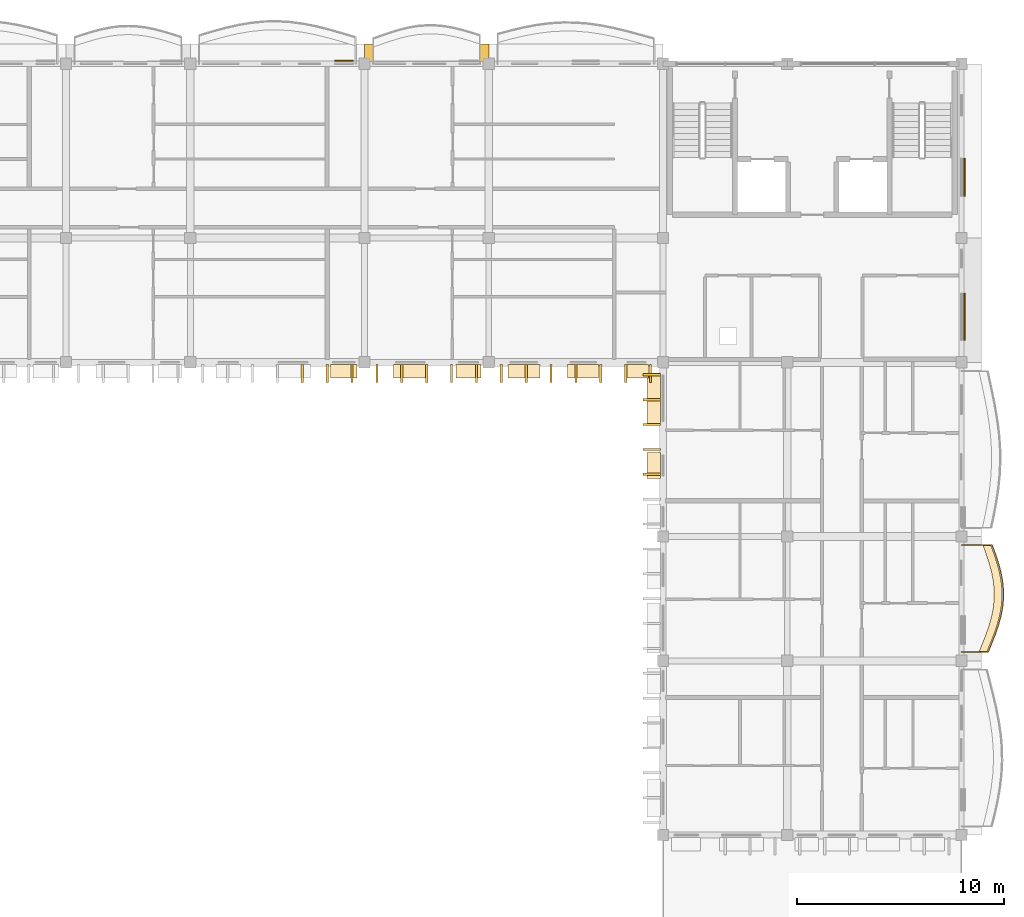
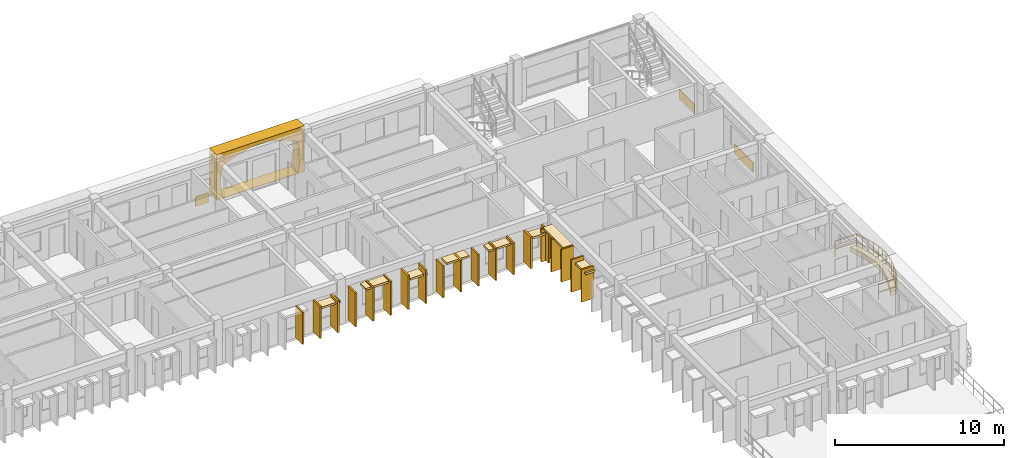
# One storey, part 43 of 45: 33 coverings, 1 railing.
"""IFC4 building model written with IfcOpenShell, lengths in metres."""

from ifc_helpers import new_model, si_unit, direction, frame, origin, origin_2d, place, context, subcontext, project, spatial, polyline, rectangle, outline, extrude, material, layer, layer_set, type_object, element, save


model = new_model("IFC4")

# Units and contexts
model_context = context("Model", 3, precision=1e-05, world=origin(), true_north=direction((0.0, 1.0)))
body_context = subcontext(model_context, "Body", "Model", "MODEL_VIEW")
ifc_project = project(units=[si_unit("LENGTHUNIT", "METRE"), si_unit("AREAUNIT", "SQUARE_METRE"), si_unit("VOLUMEUNIT", "CUBIC_METRE"), si_unit("PLANEANGLEUNIT", "RADIAN"), si_unit("MASSUNIT", "GRAM", prefix="KILO"), si_unit("THERMODYNAMICTEMPERATUREUNIT", "KELVIN")], contexts=[model_context])

# Site, building, storey
site_placement = place(None, origin())
site = spatial("IfcSite", under=ifc_project, at=site_placement, CompositionType="ELEMENT")
building_placement = place(site_placement, origin())
building = spatial("IfcBuilding", under=site, at=building_placement, Name="Thalorik Housing Commons", CompositionType="ELEMENT")
storey_placement = place(building_placement, frame((0.0, 0.0, 34.5)))
storey = spatial("IfcBuildingStorey", under=building, at=storey_placement, Name="L10", CompositionType="ELEMENT", Elevation=34.5)

# Coverings
ifc_material_1 = material(Name="Precast concrete C40/50", Category="concrete")
ifc_layer_1 = layer(ifc_material_1, 0.85009765625, Name="Precast concrete C40/50", Category="concrete")
ifc_layer_set_1 = layer_set([ifc_layer_1], Name="Precast concrete C40/50")
covering_type_1 = type_object("IfcCoveringType", Name="ARC-CLD-CUSH-850", PredefinedType="CLADDING", material=ifc_layer_set_1)
covering_1_placement = place(storey_placement, frame((141.0, 124.137451171875, 0.0), z_axis=(0.0, 0.0, 1.0), x_axis=(-1.0, 0.0, 0.0)))
element("IfcCovering", 1, at=covering_1_placement, inside=storey, type_object=covering_type_1, Name="L10 White Precast Curved Cushion Bay Frame 3044", PredefinedType="CLADDING", context=body_context, shape_type="SweptSolid", body=[
    extrude(outline(polyline([(-3.0, 0.0), (3.0, 0.0), (3.0, 3.300048828125), (-3.0, 3.300048828125), (-3.0, 0.0)]), holes=[polyline([(2.56103515625, 0.02490234375), (2.65380859375, 0.410888671875), (2.709228515625, 0.796630859375), (2.727783203125, 1.1826171875), (2.709228515625, 1.568359375), (2.65380859375, 1.9541015625), (2.56103515625, 2.340087890625), (2.13671875, 2.552978515625), (1.712646484375, 2.720458984375), (1.28857421875, 2.85595703125), (0.8642578125, 2.956787109375), (0.440185546875, 3.01904296875), (0.01611328125, 3.0400390625), (-0.408203125, 3.01904296875), (-0.832275390625, 2.956787109375), (-1.256591796875, 2.85595703125), (-1.6806640625, 2.720458984375), (-2.104736328125, 2.552978515625), (-2.529052734375, 2.340087890625), (-2.62841796875, 1.9541015625), (-2.68798828125, 1.568359375), (-2.7080078125, 1.1826171875), (-2.68798828125, 0.796630859375), (-2.62841796875, 0.410888671875), (-2.529052734375, 0.02490234375), (2.56103515625, 0.02490234375)])]), frame((0.0, 0.425048828125, 0.0), z_axis=(0.0, -1.0, 0.0), x_axis=(1.0, 0.0, 0.0)), (0.0, 0.0, 1.0), 0.85009765625),
])
ifc_layer_2 = layer(ifc_material_1, 0.85009765625, Name="Precast concrete C40/50", Category="concrete")
ifc_layer_set_2 = layer_set([ifc_layer_2], Name="Precast concrete C40/50")
covering_type_2 = type_object("IfcCoveringType", Name="ARC-CLD-FIN-850", PredefinedType="CLADDING", material=ifc_layer_set_2)
for number, where, z_axis, x_axis, name in (
    (2, (135.0, 108.66259765625, 0.0400390625), (0.0, 0.0, 1.0), (1.0, 0.0, 0.0), "L10 Courtyard Precast Vertical Brise-Soleil Fin 3096"),
    (3, (136.199951171875, 108.66259765625, 0.0400390625), (0.0, 0.0, 1.0), (1.0, 0.0, 0.0), "L10 Courtyard Precast Vertical Brise-Soleil Fin 3097"),
    (4, (137.39990234375, 108.66259765625, 0.0400390625), (0.0, 0.0, 1.0), (1.0, 0.0, 0.0), "L10 Courtyard Precast Vertical Brise-Soleil Fin 3098"),
):
    element("IfcCovering", number, at=place(storey_placement, frame(where, z_axis=z_axis, x_axis=x_axis)), inside=storey, type_object=covering_type_2, Name=name, PredefinedType="CLADDING", context=body_context, shape_type="SweptSolid", body=[
        extrude(rectangle(XDim=0.110107421875, YDim=0.85009765625, at=origin_2d()), origin(), (0.0, 0.0, 1.0), 2.294921875),
    ])
for number, where, z_axis, x_axis, name in (
    (5, (138.60009765625, 108.66259765625, 0.0400390625), (0.0, 0.0, 1.0), (1.0, 0.0, 0.0), "L10 Courtyard Precast Vertical Brise-Soleil Fin 3102"),
    (6, (139.800048828125, 108.66259765625, 0.0400390625), (0.0, 0.0, 1.0), (1.0, 0.0, 0.0), "L10 Courtyard Precast Vertical Brise-Soleil Fin 3103"),
    (7, (141.0, 108.66259765625, 0.0400390625), (0.0, 0.0, 1.0), (1.0, 0.0, 0.0), "L10 Courtyard Precast Vertical Brise-Soleil Fin 3104"),
    (8, (142.199951171875, 108.66259765625, 0.0400390625), (0.0, 0.0, 1.0), (1.0, 0.0, 0.0), "L10 Courtyard Precast Vertical Brise-Soleil Fin 3105"),
    (9, (143.39990234375, 108.66259765625, 0.0400390625), (0.0, 0.0, 1.0), (1.0, 0.0, 0.0), "L10 Courtyard Precast Vertical Brise-Soleil Fin 3106"),
):
    element("IfcCovering", number, at=place(storey_placement, frame(where, z_axis=z_axis, x_axis=x_axis)), inside=storey, type_object=covering_type_2, Name=name, PredefinedType="CLADDING", context=body_context, shape_type="SweptSolid", body=[
        extrude(rectangle(XDim=0.110107421875, YDim=0.85009765625, at=origin_2d()), origin(), (0.0, 0.0, 1.0), 2.445068359375),
    ])
for number, where, z_axis, x_axis, name in (
    (10, (144.60009765625, 108.66259765625, 0.0400390625), (0.0, 0.0, 1.0), (1.0, 0.0, 0.0), "L10 Courtyard Precast Vertical Brise-Soleil Fin 3109"),
    (11, (145.800048828125, 108.66259765625, 0.0400390625), (0.0, 0.0, 1.0), (1.0, 0.0, 0.0), "L10 Courtyard Precast Vertical Brise-Soleil Fin 3110"),
    (12, (147.0, 108.66259765625, 0.0400390625), (0.0, 0.0, 1.0), (1.0, 0.0, 0.0), "L10 Courtyard Precast Vertical Brise-Soleil Fin 3111"),
    (13, (148.199951171875, 108.66259765625, 0.0400390625), (0.0, 0.0, 1.0), (1.0, 0.0, 0.0), "L10 Courtyard Precast Vertical Brise-Soleil Fin 3112"),
    (14, (149.39990234375, 108.66259765625, 0.0400390625), (0.0, 0.0, 1.0), (1.0, 0.0, 0.0), "L10 Courtyard Precast Vertical Brise-Soleil Fin 3113"),
    (15, (150.60009765625, 108.66259765625, 0.0400390625), (0.0, 0.0, 1.0), (1.0, 0.0, 0.0), "L10 Courtyard Precast Vertical Brise-Soleil Fin 3114"),
    (16, (151.800048828125, 108.66259765625, 0.0400390625), (0.0, 0.0, 1.0), (1.0, 0.0, 0.0), "L10 Courtyard Precast Vertical Brise-Soleil Fin 3115"),
):
    element("IfcCovering", number, at=place(storey_placement, frame(where, z_axis=z_axis, x_axis=x_axis)), inside=storey, type_object=covering_type_2, Name=name, PredefinedType="CLADDING", context=body_context, shape_type="SweptSolid", body=[
        extrude(rectangle(XDim=0.110107421875, YDim=0.85009765625, at=origin_2d()), origin(), (0.0, 0.0, 1.0), 2.294921875),
    ])
for number, where, z_axis, x_axis, name in (
    (17, (151.862548828125, 108.60009765625, 0.0400390625), (0.0, 0.0, 1.0), (0.0, -1.0, 0.0), "L10 Courtyard Precast Vertical Brise-Soleil Fin 3119"),
    (18, (151.862548828125, 107.39990234375, 0.0400390625), (0.0, 0.0, 1.0), (0.0, -1.0, 0.0), "L10 Courtyard Precast Vertical Brise-Soleil Fin 3120"),
    (19, (151.862548828125, 106.199951171875, 0.0400390625), (0.0, 0.0, 1.0), (0.0, -1.0, 0.0), "L10 Courtyard Precast Vertical Brise-Soleil Fin 3121"),
    (20, (151.862548828125, 105.0, 0.0400390625), (0.0, 0.0, 1.0), (0.0, -1.0, 0.0), "L10 Courtyard Precast Vertical Brise-Soleil Fin 3122"),
    (21, (151.862548828125, 103.800048828125, 0.0400390625), (0.0, 0.0, 1.0), (0.0, -1.0, 0.0), "L10 Courtyard Precast Vertical Brise-Soleil Fin 3123"),
):
    element("IfcCovering", number, at=place(storey_placement, frame(where, z_axis=z_axis, x_axis=x_axis)), inside=storey, type_object=covering_type_2, Name=name, PredefinedType="CLADDING", context=body_context, shape_type="SweptSolid", body=[
        extrude(rectangle(XDim=0.110107421875, YDim=0.85009765625, at=origin_2d()), origin(), (0.0, 0.0, 1.0), 2.344970703125),
    ])
ifc_layer_3 = layer(ifc_material_1, 0.64990234375, Name="Precast concrete C40/50", Category="concrete")
ifc_layer_set_3 = layer_set([ifc_layer_3], Name="Precast concrete C40/50")
covering_type_3 = type_object("IfcCoveringType", Name="ARC-CLD-HOOD-650", PredefinedType="CLADDING", material=ifc_layer_set_3)
covering_2_placement = place(storey_placement, frame((137.0048828125, 108.762451171875, 1.990234375), z_axis=(0.0, 0.0, 1.0), x_axis=(1.0, 0.0, 0.0)))
element("IfcCovering", 22, at=covering_2_placement, inside=storey, type_object=covering_type_3, Name="L10 Courtyard Precast Window Sun-Hood 3101", PredefinedType="CLADDING", context=body_context, shape_type="SweptSolid", body=[
    extrude(rectangle(XDim=1.2900390625, YDim=0.64990234375, at=origin_2d()), origin(), (0.0, 0.0, 1.0), 0.139892578125),
])
covering_3_placement = place(storey_placement, frame((140.20751953125, 108.762451171875, 2.27001953125), z_axis=(0.0, 0.0, 1.0), x_axis=(1.0, 0.0, 0.0)))
element("IfcCovering", 23, at=covering_3_placement, inside=storey, type_object=covering_type_3, Name="L10 Courtyard Precast Window Sun-Hood 3107", PredefinedType="CLADDING", context=body_context, shape_type="SweptSolid", body=[
    extrude(rectangle(XDim=1.6201171875, YDim=0.64990234375, at=origin_2d()), origin(), (0.0, 0.0, 1.0), 0.139892578125),
])
covering_4_placement = place(storey_placement, frame((143.017578125, 108.762451171875, 1.93994140625), z_axis=(0.0, 0.0, 1.0), x_axis=(1.0, 0.0, 0.0)))
element("IfcCovering", 24, at=covering_4_placement, inside=storey, type_object=covering_type_3, Name="L10 Courtyard Precast Window Sun-Hood 3108", PredefinedType="CLADDING", context=body_context, shape_type="SweptSolid", body=[
    extrude(rectangle(XDim=1.18994140625, YDim=0.64990234375, at=origin_2d()), origin(), (0.0, 0.0, 1.0), 0.139892578125),
])
covering_5_placement = place(storey_placement, frame((145.68994140625, 108.762451171875, 2.18994140625), z_axis=(0.0, 0.0, 1.0), x_axis=(1.0, 0.0, 0.0)))
element("IfcCovering", 25, at=covering_5_placement, inside=storey, type_object=covering_type_3, Name="L10 Courtyard Precast Window Sun-Hood 3116", PredefinedType="CLADDING", context=body_context, shape_type="SweptSolid", body=[
    extrude(rectangle(XDim=1.5400390625, YDim=0.64990234375, at=origin_2d()), origin(), (0.0, 0.0, 1.0), 0.139892578125),
])
covering_6_placement = place(storey_placement, frame((148.550048828125, 108.762451171875, 2.08984375), z_axis=(0.0, 0.0, 1.0), x_axis=(1.0, 0.0, 0.0)))
element("IfcCovering", 26, at=covering_6_placement, inside=storey, type_object=covering_type_3, Name="L10 Courtyard Precast Window Sun-Hood 3117", PredefinedType="CLADDING", context=body_context, shape_type="SweptSolid", body=[
    extrude(rectangle(XDim=1.489990234375, YDim=0.64990234375, at=origin_2d()), origin(), (0.0, 0.0, 1.0), 0.139892578125),
])
covering_7_placement = place(storey_placement, frame((151.1298828125, 108.762451171875, 1.990234375), z_axis=(0.0, 0.0, 1.0), x_axis=(1.0, 0.0, 0.0)))
element("IfcCovering", 27, at=covering_7_placement, inside=storey, type_object=covering_type_3, Name="L10 Courtyard Precast Window Sun-Hood 3118", PredefinedType="CLADDING", context=body_context, shape_type="SweptSolid", body=[
    extrude(rectangle(XDim=1.139892578125, YDim=0.64990234375, at=origin_2d()), origin(), (0.0, 0.0, 1.0), 0.139892578125),
])
covering_8_placement = place(storey_placement, frame((151.96240234375, 107.469970703125, 2.27490234375), z_axis=(0.0, 0.0, 1.0), x_axis=(0.0, -1.0, 0.0)))
element("IfcCovering", 28, at=covering_8_placement, inside=storey, type_object=covering_type_3, Name="L10 Courtyard Precast Window Sun-Hood 3126", PredefinedType="CLADDING", context=body_context, shape_type="SweptSolid", body=[
    extrude(rectangle(XDim=2.43994140625, YDim=0.64990234375, at=origin_2d()), origin(), (0.0, 0.0, 1.0), 0.139892578125),
])
covering_9_placement = place(storey_placement, frame((151.96240234375, 104.22509765625, 2.0400390625), z_axis=(0.0, 0.0, 1.0), x_axis=(0.0, -1.0, 0.0)))
element("IfcCovering", 29, at=covering_9_placement, inside=storey, type_object=covering_type_3, Name="L10 Courtyard Precast Window Sun-Hood 3127", PredefinedType="CLADDING", context=body_context, shape_type="SweptSolid", body=[
    extrude(rectangle(XDim=1.239990234375, YDim=0.64990234375, at=origin_2d()), origin(), (0.0, 0.0, 1.0), 0.139892578125),
])
ifc_material_2 = material(Name="Terracotta red mineral fibre-cement panel", Category="masonry")
ifc_layer_4 = layer(ifc_material_2, 0.054931640625, Name="Terracotta red mineral fibre-cement panel", Category="masonry")
ifc_layer_set_4 = layer_set([ifc_layer_4], Name="Terracotta red mineral fibre-cement panel")
covering_type_4 = type_object("IfcCoveringType", Name="ARC-CLD-RED-55", PredefinedType="CLADDING", material=ifc_layer_set_4)
covering_10_placement = place(storey_placement, frame((166.945068359375, 118.13134765625, 0.0498046875), z_axis=(0.0, 0.0, 1.0), x_axis=(0.0, 1.0, 0.0)))
element("IfcCovering", 30, at=covering_10_placement, inside=storey, type_object=covering_type_4, Name="L10 De Stijl Recessed Window Spandrel 3041", PredefinedType="CLADDING", context=body_context, shape_type="SweptSolid", body=[
    extrude(rectangle(XDim=1.820068359375, YDim=0.054931640625, at=origin_2d()), origin(), (0.0, 0.0, 1.0), 0.699951171875),
])
ifc_material_3 = material(Name="Mineral ochre architectural terracotta panel", Category="masonry")
ifc_layer_5 = layer(ifc_material_3, 0.06494140625, Name="Mineral ochre architectural terracotta panel", Category="masonry")
ifc_layer_set_5 = layer_set([ifc_layer_5], Name="Mineral ochre architectural terracotta panel")
covering_type_5 = type_object("IfcCoveringType", Name="ARC-CLD-YEL-65", PredefinedType="CLADDING", material=ifc_layer_set_5)
covering_11_placement = place(storey_placement, frame((166.949951171875, 111.39501953125, 0.0498046875), z_axis=(0.0, 0.0, 1.0), x_axis=(0.0, 1.0, 0.0)))
element("IfcCovering", 31, at=covering_11_placement, inside=storey, type_object=covering_type_5, Name="L10 De Stijl Recessed Window Spandrel 3039", PredefinedType="CLADDING", context=body_context, shape_type="SweptSolid", body=[
    extrude(rectangle(XDim=2.280029296875, YDim=0.06494140625, at=origin_2d()), origin(), (0.0, 0.0, 1.0), 0.699951171875),
])
covering_12_placement = place(storey_placement, frame((137.0048828125, 123.75, 0.0498046875), z_axis=(0.0, 0.0, 1.0), x_axis=(-1.0, 0.0, 0.0)))
element("IfcCovering", 32, at=covering_12_placement, inside=storey, type_object=covering_type_5, Name="L10 De Stijl Recessed Window Spandrel 3047", PredefinedType="CLADDING", context=body_context, shape_type="SweptSolid", body=[
    extrude(rectangle(XDim=0.89990234375, YDim=0.06494140625, at=origin_2d()), origin(), (0.0, 0.0, 1.0), 0.699951171875),
])
ifc_material_4 = material(Name="Planted vegetated substrate and terracotta trough", Category="masonry")
ifc_layer_6 = layer(ifc_material_4, 0.340087890625, Name="Planted vegetated substrate and terracotta trough", Category="masonry")
ifc_layer_set_6 = layer_set([ifc_layer_6], Name="Planted vegetated substrate and terracotta trough")
covering_type_6 = type_object("IfcCoveringType", Name="ARC-COV-PLANTER", PredefinedType="USERDEFINED", material=ifc_layer_set_6)
covering_13_placement = place(storey_placement, origin())
element("IfcCovering", 33, at=covering_13_placement, inside=storey, type_object=covering_type_6, Name="L10 Balcony Slab-Edge Planted Trough 5547", ObjectType="PLANTER", PredefinedType="USERDEFINED", context=body_context, shape_type="SweptSolid", body=[
    extrude(outline(polyline([(168.019287109375, 95.219970703125), (168.19580078125, 95.64990234375), (168.36328125, 96.080078125), (168.51171875, 96.510009765625), (168.631103515625, 96.93994140625), (168.71435546875, 97.3701171875), (168.756591796875, 97.800048828125), (168.75537109375, 98.22998046875), (168.711669921875, 98.659912109375), (168.62890625, 99.090087890625), (168.51318359375, 99.52001953125), (168.373046875, 99.949951171875), (168.2177734375, 100.3798828125), (167.837890625, 100.3798828125), (167.992919921875, 99.949951171875), (168.13330078125, 99.52001953125), (168.248779296875, 99.090087890625), (168.331787109375, 98.659912109375), (168.37548828125, 98.22998046875), (168.37646484375, 97.800048828125), (168.33447265625, 97.3701171875), (168.251220703125, 96.93994140625), (168.131591796875, 96.510009765625), (167.9833984375, 96.080078125), (167.815673828125, 95.64990234375), (167.639404296875, 95.219970703125), (168.019287109375, 95.219970703125)])), origin(), (0.0, 0.0, 1.0), 0.340087890625),
])

# Railing
ifc_material_5 = material(Name="Steel S355", Category="steel")
railing_type = type_object("IfcRailingType", Name="ARC-RL-BAL-115", PredefinedType="BALUSTRADE", material=ifc_material_5)
railing_placement = place(storey_placement, frame((166.800048828125, 95.219970703125, 0.0)))
element("IfcRailing", 34, at=railing_placement, inside=storey, type_object=railing_type, Name="L10 Cushion Balcony Guardrail 231", PredefinedType="BALUSTRADE", context=body_context, shape_type="SweptSolid", body=[
    extrude(rectangle(XDim=0.050048828125, YDim=0.050048828125, at=origin_2d()), frame((0.0, 0.0, 1.125), z_axis=(1.0, 0.0, 0.0), x_axis=(0.0, 1.0, 0.0)), (0.0, 0.0, 1.0), 1.289306640625),
    extrude(rectangle(XDim=0.050048828125, YDim=0.050048828125, at=origin_2d()), frame((0.0, 0.0, 0.5498046875), z_axis=(1.0, 0.0, 0.0), x_axis=(0.0, 1.0, 0.0)), (0.0, 0.0, 1.0), 1.289306640625),
    extrude(rectangle(XDim=0.050048828125, YDim=0.050048828125, at=origin_2d()), frame((1.289306640625, 0.0, 1.125), z_axis=(0.37934878311, 0.925253749386, 0.0), x_axis=(-0.925253749386, 0.37934878311, 0.0)), (0.0, 0.0, 1.0), 0.464599609375),
    extrude(rectangle(XDim=0.050048828125, YDim=0.050048828125, at=origin_2d()), frame((1.289306640625, 0.0, 0.5498046875), z_axis=(0.37934878311, 0.925253749386, 0.0), x_axis=(-0.925253749386, 0.37934878311, 0.0)), (0.0, 0.0, 1.0), 0.464599609375),
    extrude(rectangle(XDim=0.050048828125, YDim=0.050048828125, at=origin_2d()), frame((1.465576171875, 0.429931640625, 1.125), z_axis=(0.363262662451, 0.931686770363, 0.0), x_axis=(-0.931686770363, 0.363262662451, 0.0)), (0.0, 0.0, 1.0), 0.461669921875),
    extrude(rectangle(XDim=0.050048828125, YDim=0.050048828125, at=origin_2d()), frame((1.465576171875, 0.429931640625, 0.5498046875), z_axis=(0.363262662451, 0.931686770363, 0.0), x_axis=(-0.931686770363, 0.363262662451, 0.0)), (0.0, 0.0, 1.0), 0.461669921875),
    extrude(rectangle(XDim=0.050048828125, YDim=0.050048828125, at=origin_2d()), frame((1.63330078125, 0.860107421875, 1.125), z_axis=(0.325874864866, 0.945412911086, 0.0), x_axis=(-0.945412911086, 0.325874864866, 0.0)), (0.0, 0.0, 1.0), 0.454833984375),
    extrude(rectangle(XDim=0.050048828125, YDim=0.050048828125, at=origin_2d()), frame((1.63330078125, 0.860107421875, 0.5498046875), z_axis=(0.325874864866, 0.945412911086, 0.0), x_axis=(-0.945412911086, 0.325874864866, 0.0)), (0.0, 0.0, 1.0), 0.454833984375),
    extrude(rectangle(XDim=0.050048828125, YDim=0.050048828125, at=origin_2d()), frame((1.781494140625, 1.2900390625, 1.125), z_axis=(0.26806707702, 0.963400250269, 0.0), x_axis=(-0.963400250269, 0.26806707702, 0.0)), (0.0, 0.0, 1.0), 0.4462890625),
    extrude(rectangle(XDim=0.050048828125, YDim=0.050048828125, at=origin_2d()), frame((1.781494140625, 1.2900390625, 0.5498046875), z_axis=(0.26806707702, 0.963400250269, 0.0), x_axis=(-0.963400250269, 0.26806707702, 0.0)), (0.0, 0.0, 1.0), 0.4462890625),
    extrude(rectangle(XDim=0.050048828125, YDim=0.050048828125, at=origin_2d()), frame((1.901123046875, 1.719970703125, 1.125), z_axis=(0.190004581417, 0.981783203686, 0.0), x_axis=(-0.981783203686, 0.190004581417, 0.0)), (0.0, 0.0, 1.0), 0.438232421875),
    extrude(rectangle(XDim=0.050048828125, YDim=0.050048828125, at=origin_2d()), frame((1.901123046875, 1.719970703125, 0.5498046875), z_axis=(0.190004581417, 0.981783203686, 0.0), x_axis=(-0.981783203686, 0.190004581417, 0.0)), (0.0, 0.0, 1.0), 0.438232421875),
    extrude(rectangle(XDim=0.050048828125, YDim=0.050048828125, at=origin_2d()), frame((1.984375, 2.150146484375, 1.125), z_axis=(0.097209200993, 0.995263970634, 0.0), x_axis=(-0.995263970634, 0.097209200993, 0.0)), (0.0, 0.0, 1.0), 0.431884765625),
    extrude(rectangle(XDim=0.050048828125, YDim=0.050048828125, at=origin_2d()), frame((1.984375, 2.150146484375, 0.5498046875), z_axis=(0.097209200993, 0.995263970634, 0.0), x_axis=(-0.995263970634, 0.097209200993, 0.0)), (0.0, 0.0, 1.0), 0.431884765625),
    extrude(rectangle(XDim=0.050048828125, YDim=0.050048828125, at=origin_2d()), frame((2.0263671875, 2.580078125, 1.125), z_axis=(-0.002271430824, 0.999997420298, 0.0), x_axis=(-0.999997420298, -0.002271430824, 0.0)), (0.0, 0.0, 1.0), 0.429931640625),
    extrude(rectangle(XDim=0.050048828125, YDim=0.050048828125, at=origin_2d()), frame((2.0263671875, 2.580078125, 0.5498046875), z_axis=(-0.002271430824, 0.999997420298, 0.0), x_axis=(-0.999997420298, -0.002271430824, 0.0)), (0.0, 0.0, 1.0), 0.429931640625),
    extrude(rectangle(XDim=0.050048828125, YDim=0.050048828125, at=origin_2d()), frame((2.025390625, 3.010009765625, 1.125), z_axis=(-0.101125715091, 0.994873655168, 0.0), x_axis=(-0.994873655168, -0.101125715091, 0.0)), (0.0, 0.0, 1.0), 0.43212890625),
    extrude(rectangle(XDim=0.050048828125, YDim=0.050048828125, at=origin_2d()), frame((2.025390625, 3.010009765625, 0.5498046875), z_axis=(-0.101125715091, 0.994873655168, 0.0), x_axis=(-0.994873655168, -0.101125715091, 0.0)), (0.0, 0.0, 1.0), 0.43212890625),
    extrude(rectangle(XDim=0.050048828125, YDim=0.050048828125, at=origin_2d()), frame((1.981689453125, 3.43994140625, 1.125), z_axis=(-0.188930076075, 0.981990542905, 0.0), x_axis=(-0.981990542905, -0.188930076075, 0.0)), (0.0, 0.0, 1.0), 0.43798828125),
    extrude(rectangle(XDim=0.050048828125, YDim=0.050048828125, at=origin_2d()), frame((1.981689453125, 3.43994140625, 0.5498046875), z_axis=(-0.188930076075, 0.981990542905, 0.0), x_axis=(-0.981990542905, -0.188930076075, 0.0)), (0.0, 0.0, 1.0), 0.43798828125),
    extrude(rectangle(XDim=0.050048828125, YDim=0.050048828125, at=origin_2d()), frame((1.89892578125, 3.8701171875, 1.125), z_axis=(-0.259914478843, 0.965631639751, 0.0), x_axis=(-0.965631639751, -0.259914478843, 0.0)), (0.0, 0.0, 1.0), 0.4453125),
    extrude(rectangle(XDim=0.050048828125, YDim=0.050048828125, at=origin_2d()), frame((1.89892578125, 3.8701171875, 0.5498046875), z_axis=(-0.259914478843, 0.965631639751, 0.0), x_axis=(-0.965631639751, -0.259914478843, 0.0)), (0.0, 0.0, 1.0), 0.4453125),
    extrude(rectangle(XDim=0.050048828125, YDim=0.050048828125, at=origin_2d()), frame((1.783203125, 4.300048828125, 1.125), z_axis=(-0.30990389927, 0.950767886088, 0.0), x_axis=(-0.950767886088, -0.30990389927, 0.0)), (0.0, 0.0, 1.0), 0.4521484375),
    extrude(rectangle(XDim=0.050048828125, YDim=0.050048828125, at=origin_2d()), frame((1.783203125, 4.300048828125, 0.5498046875), z_axis=(-0.30990389927, 0.950767886088, 0.0), x_axis=(-0.950767886088, -0.30990389927, 0.0)), (0.0, 0.0, 1.0), 0.4521484375),
    extrude(rectangle(XDim=0.050048828125, YDim=0.050048828125, at=origin_2d()), frame((1.64306640625, 4.72998046875, 1.125), z_axis=(-0.339683836969, 0.940539680663, 0.0), x_axis=(-0.940539680663, -0.339683836969, 0.0)), (0.0, 0.0, 1.0), 0.45703125),
    extrude(rectangle(XDim=0.050048828125, YDim=0.050048828125, at=origin_2d()), frame((1.64306640625, 4.72998046875, 0.5498046875), z_axis=(-0.339683836969, 0.940539680663, 0.0), x_axis=(-0.940539680663, -0.339683836969, 0.0)), (0.0, 0.0, 1.0), 0.45703125),
    extrude(rectangle(XDim=0.050048828125, YDim=0.050048828125, at=origin_2d()), frame((1.48779296875, 5.159912109375, 1.125), z_axis=(-1.0, 0.0, 0.0), x_axis=(0.0, -1.0, 0.0)), (0.0, 0.0, 1.0), 1.48779296875),
    extrude(rectangle(XDim=0.050048828125, YDim=0.050048828125, at=origin_2d()), frame((1.48779296875, 5.159912109375, 0.5498046875), z_axis=(-1.0, 0.0, 0.0), x_axis=(0.0, -1.0, 0.0)), (0.0, 0.0, 1.0), 1.48779296875),
    extrude(rectangle(XDim=0.0419921875, YDim=0.0419921875, at=origin_2d()), origin(), (0.0, 0.0, 1.0), 1.099853515625),
    extrude(rectangle(XDim=0.0419921875, YDim=0.0419921875, at=origin_2d()), frame((1.289306640625, 0.0, 0.0)), (0.0, 0.0, 1.0), 1.099853515625),
    extrude(rectangle(XDim=0.0419921875, YDim=0.0419921875, at=origin_2d()), frame((1.465576171875, 0.429931640625, 0.0)), (0.0, 0.0, 1.0), 1.099853515625),
    extrude(rectangle(XDim=0.0419921875, YDim=0.0419921875, at=origin_2d()), frame((1.63330078125, 0.860107421875, 0.0)), (0.0, 0.0, 1.0), 1.099853515625),
    extrude(rectangle(XDim=0.0419921875, YDim=0.0419921875, at=origin_2d()), frame((1.781494140625, 1.2900390625, 0.0)), (0.0, 0.0, 1.0), 1.099853515625),
    extrude(rectangle(XDim=0.0419921875, YDim=0.0419921875, at=origin_2d()), frame((1.901123046875, 1.719970703125, 0.0)), (0.0, 0.0, 1.0), 1.099853515625),
    extrude(rectangle(XDim=0.0419921875, YDim=0.0419921875, at=origin_2d()), frame((1.984375, 2.150146484375, 0.0)), (0.0, 0.0, 1.0), 1.099853515625),
    extrude(rectangle(XDim=0.0419921875, YDim=0.0419921875, at=origin_2d()), frame((2.0263671875, 2.580078125, 0.0)), (0.0, 0.0, 1.0), 1.099853515625),
    extrude(rectangle(XDim=0.0419921875, YDim=0.0419921875, at=origin_2d()), frame((2.025390625, 3.010009765625, 0.0)), (0.0, 0.0, 1.0), 1.099853515625),
    extrude(rectangle(XDim=0.0419921875, YDim=0.0419921875, at=origin_2d()), frame((1.981689453125, 3.43994140625, 0.0)), (0.0, 0.0, 1.0), 1.099853515625),
    extrude(rectangle(XDim=0.0419921875, YDim=0.0419921875, at=origin_2d()), frame((1.89892578125, 3.8701171875, 0.0)), (0.0, 0.0, 1.0), 1.099853515625),
    extrude(rectangle(XDim=0.0419921875, YDim=0.0419921875, at=origin_2d()), frame((1.783203125, 4.300048828125, 0.0)), (0.0, 0.0, 1.0), 1.099853515625),
    extrude(rectangle(XDim=0.0419921875, YDim=0.0419921875, at=origin_2d()), frame((1.64306640625, 4.72998046875, 0.0)), (0.0, 0.0, 1.0), 1.099853515625),
    extrude(rectangle(XDim=0.0419921875, YDim=0.0419921875, at=origin_2d()), frame((1.48779296875, 5.159912109375, 0.0)), (0.0, 0.0, 1.0), 1.099853515625),
    extrude(rectangle(XDim=0.0419921875, YDim=0.0419921875, at=origin_2d()), frame((0.0, 5.159912109375, 0.0)), (0.0, 0.0, 1.0), 1.099853515625),
])

save(model, "model.ifc")
